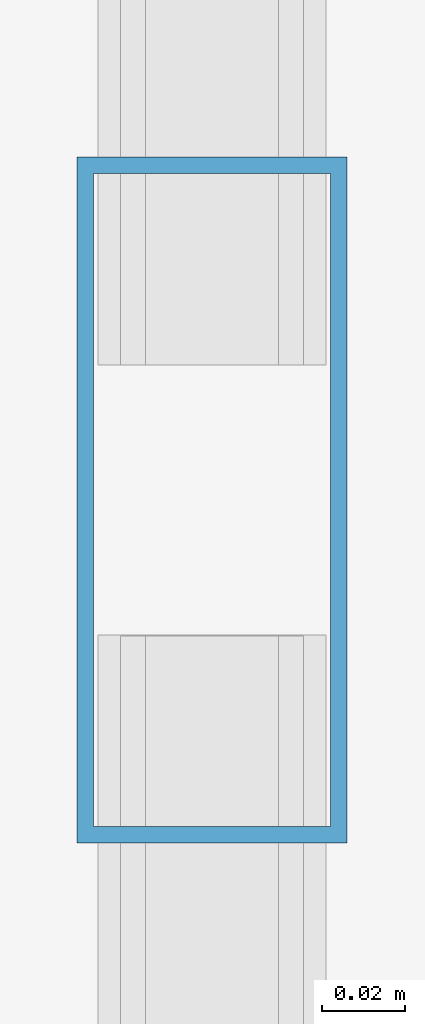
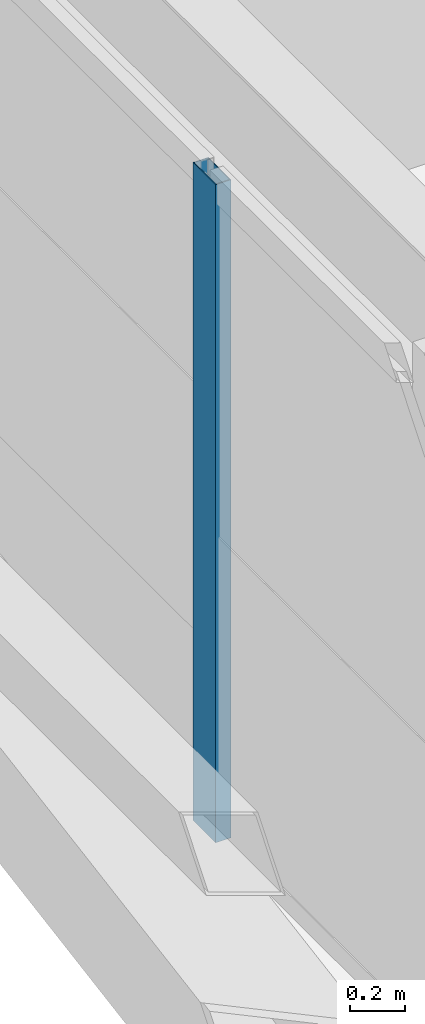
# One storey, part 16 of 59: 1 member, 1 element without a shape of its own.
"""IFC4 building model written with IfcOpenShell, lengths in metres."""

from ifc_helpers import new_model, si_unit, direction, frame, origin, origin_2d, place, context, subcontext, project, spatial, hollow_rectangle, extrude, source, transform, mapped, material, layer, layer_set, material_profile, profile_set, type_object, element, aggregate, save


model = new_model("IFC4")

# Units and contexts
model_context = context("Model", 3, precision=1e-05, world=origin(), true_north=direction((0.0, 1.0)))
body_context = subcontext(model_context, "Body", "Model", "MODEL_VIEW")
ifc_project = project(units=[si_unit("LENGTHUNIT", "METRE"), si_unit("AREAUNIT", "SQUARE_METRE"), si_unit("VOLUMEUNIT", "CUBIC_METRE"), si_unit("PLANEANGLEUNIT", "RADIAN"), si_unit("MASSUNIT", "GRAM", prefix="KILO")], contexts=[model_context])

# Site, building, storey
site_placement = place(None, origin())
site = spatial("IfcSite", under=ifc_project, at=site_placement, CompositionType="ELEMENT")
building_placement = place(site_placement, origin())
building = spatial("IfcBuilding", under=site, at=building_placement, Name="Taldren Reach Tower", CompositionType="ELEMENT")
storey_placement = place(building_placement, frame((0.0, 0.0, 19.949951171875)))
storey = spatial("IfcBuildingStorey", under=building, at=storey_placement, Name="L05", CompositionType="ELEMENT", Elevation=19.949951171875)

# Curtain wall, member
ifc_material_1 = material(Name="Aluminium and Low-E Glass Unitised System", Category="aluminium")
ifc_layer = layer(ifc_material_1, 0.159912109375)
ifc_layer_set = layer_set([ifc_layer], Name="Aluminium and Low-E Glass Unitised System")
curtain_wall_type = type_object("IfcCurtainWallType", Name="CW-SYS-2", PredefinedType="NOTDEFINED", material=ifc_layer_set)
curtain_wall_placement = place(storey_placement, origin())
curtain_wall = element("IfcCurtainWall", 1, at=curtain_wall_placement, inside=storey, type_object=curtain_wall_type, Name="Unitised curtain wall CW-L05-W", PredefinedType="NOTDEFINED")
ifc_material_2 = material(Name="Anodised Aluminium 6063-T6", Category="aluminium")
ifc_material_profile = material_profile(ifc_material_2, hollow_rectangle(XDim=0.06494140625, YDim=0.1650390625, WallThickness=0.00390625, at=origin_2d()), Name="ALU-165x65x4RHS")
ifc_profile_set = profile_set([ifc_material_profile], Name="Anodised Aluminium 6063-T6")
member_type = type_object("IfcMemberType", Name="CW-MUL-165", PredefinedType="MULLION", material=ifc_profile_set)
shared_shape = source(origin(), body_context, "Body", "SweptSolid", [
    extrude(hollow_rectangle(XDim=0.06494140625, YDim=0.1650390625, WallThickness=0.00390625, at=origin_2d()), origin(), (0.0, 0.0, 1.0), 2.929931640625),
])
member_placement = place(storey_placement, frame((5.139892578125, 25.166748046875, 0.0), z_axis=(0.0, 0.0, 1.0), x_axis=(1.0, 0.0, 0.0)))
member = element("IfcMember", 2, at=member_placement, type_object=member_type, Name="CW-2 mullion 4", PredefinedType="MULLION", context=body_context, shape_type="MappedRepresentation", body=[
    mapped(shared_shape, transform((0.0, 0.0, 0.0), scale=1.0)),
])
aggregate(curtain_wall, [member])

save(model, "model.ifc")
